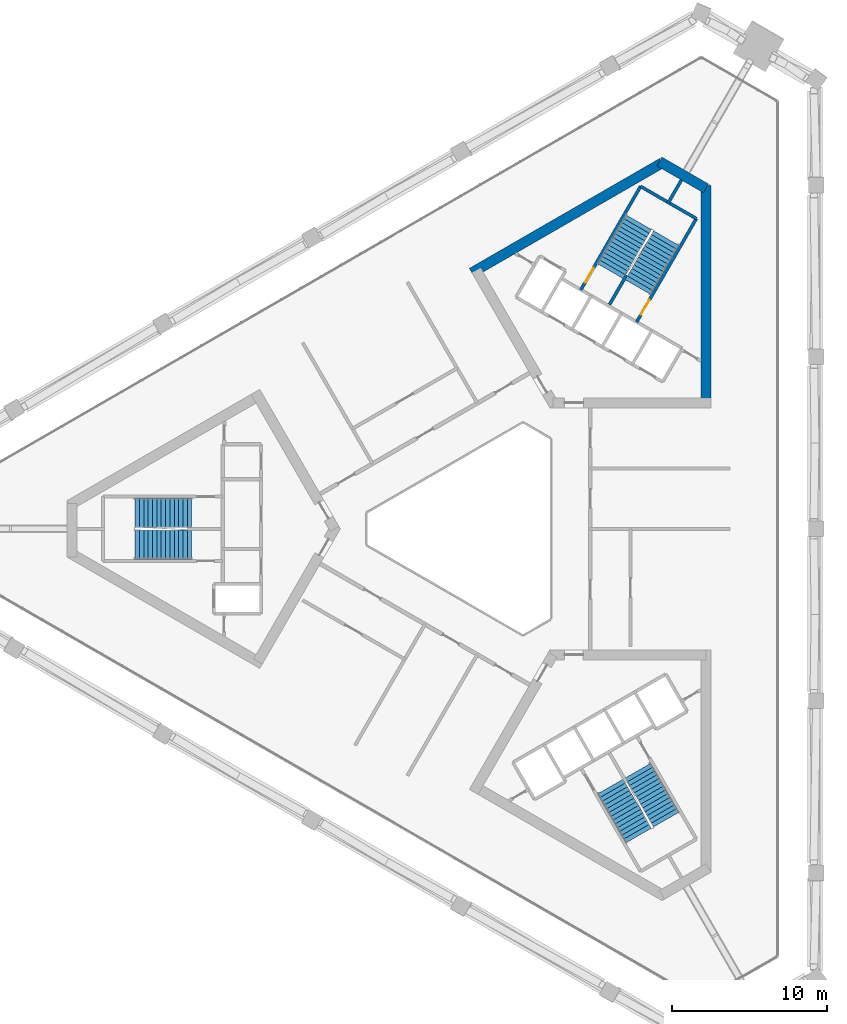
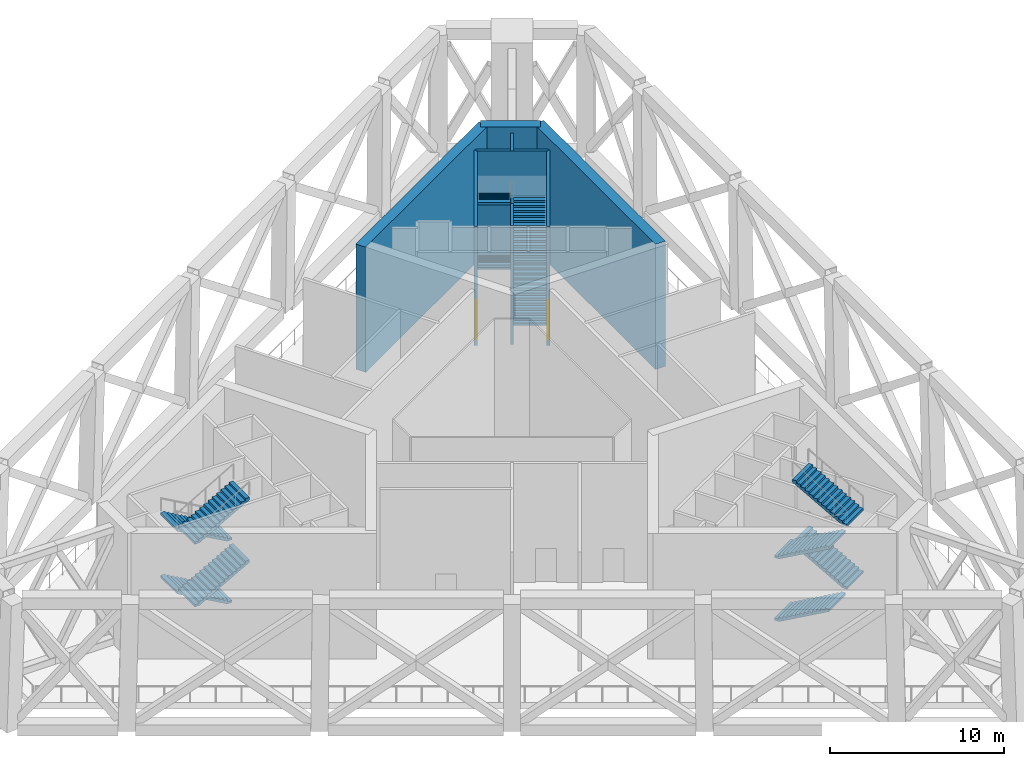
# One storey, part 6 of 8: 12 stair flights, 8 walls, 2 doors, 2 openings, 3 elements without a shape of their own.
"""IFC4 building model written with IfcOpenShell, lengths in metres."""

from ifc_helpers import new_model, si_unit, direction, frame, frame_2d, origin, place, context, subcontext, project, spatial, polyline, rectangle, outline, extrude, material, layer, layer_set, type_object, element, fill, aggregate, save


model = new_model("IFC4")

# Units and contexts
model_context = context("Model", 3, precision=1e-05, world=origin(), true_north=direction((0.0, 1.0)))
body_context = subcontext(model_context, "Body", "Model", "MODEL_VIEW")
ifc_project = project(units=[si_unit("LENGTHUNIT", "METRE"), si_unit("AREAUNIT", "SQUARE_METRE"), si_unit("VOLUMEUNIT", "CUBIC_METRE"), si_unit("PLANEANGLEUNIT", "RADIAN"), si_unit("MASSUNIT", "GRAM", prefix="KILO")], contexts=[model_context])

# Site, building, storey
site_placement = place(None, origin())
site = spatial("IfcSite", under=ifc_project, at=site_placement, CompositionType="ELEMENT")
building_placement = place(site_placement, origin())
building = spatial("IfcBuilding", under=site, at=building_placement, Name="Jabali Bay Hotel Tower and Convention Centre", CompositionType="ELEMENT")
storey_placement = place(building_placement, frame((0.0, 0.0, 147.5)))
storey = spatial("IfcBuildingStorey", under=building, at=storey_placement, Name="L36", CompositionType="ELEMENT", Elevation=147.5)

# Wall
ifc_material_1 = material(Name="Concrete C40", Category="concrete")
ifc_layer_1 = layer(ifc_material_1, 0.199951171875)
ifc_layer_set_1 = layer_set([ifc_layer_1], Name="Concrete C40")
wall_type_1 = type_object("IfcWallType", Name="Core partition wall 200", PredefinedType="PARTITIONING", material=ifc_layer_set_1)
wall_1_placement = place(storey_placement, frame((87.090087890625, 100.9404296875, 0.0), z_axis=(0.0, 0.0, 1.0), x_axis=(0.499944938281, 0.866057191349, 0.0)))
element("IfcWall", 1, at=wall_1_placement, inside=storey, type_object=wall_type_1, Name="Core wall 1.5 L36", PredefinedType="PARTITIONING", context=body_context, shape_type="SweptSolid", body=[
    extrude(rectangle(XDim=1.773193359375, YDim=0.199951171875, at=frame_2d((0.88671875, 0.0))), origin(), (0.0, 0.0, 1.0), 8.35009765625),
])

# Wall, opening, door
ifc_layer_2 = layer(ifc_material_1, 0.199951171875)
ifc_layer_set_2 = layer_set([ifc_layer_2], Name="Concrete C40")
wall_type_2 = type_object("IfcWallType", Name="Core stair wall 200", PredefinedType="SOLIDWALL", material=ifc_layer_set_2)
wall_2_placement = place(storey_placement, frame((85.0869140625, 93.3212890625, 0.0), z_axis=(0.0, 0.0, 1.0), x_axis=(0.500019787375, 0.866013979237, 0.0)))
wall_2 = element("IfcWall", 2, at=wall_2_placement, inside=storey, type_object=wall_type_2, Name="Core wall 1.2 L36", PredefinedType="SOLIDWALL", context=body_context, shape_type="SweptSolid", body=[
    extrude(rectangle(XDim=7.699951171875, YDim=0.199951171875, at=frame_2d((3.85009765625, 0.0))), origin(), (0.0, 0.0, 1.0), 8.35009765625),
])
opening_1_placement = place(wall_2_placement, frame((0.550048828125, 0.0, 0.0)))
opening_1 = element("IfcOpeningElement", 3, at=opening_1_placement, cuts=wall_2, Name="Opening D796", PredefinedType="OPENING", context=body_context, shape_type="SweptSolid", body=[
    extrude(rectangle(XDim=1.10009765625, YDim=2.10009765625, at=frame_2d((0.550048828125, 1.050048828125))), frame((0.0, 0.1103515625, 0.0), z_axis=(0.0, -1.0, 0.0), x_axis=(1.0, 0.0, 0.0)), (0.0, 0.0, 1.0), 0.220947265625),
])
ifc_material_2 = material(Name="Fire-rated steel door", Category="steel")
door_type = type_object("IfcDoorType", Name="Stair fire door 1100 x 2100", OperationType="NOTDEFINED", PredefinedType="NOTDEFINED", material=ifc_material_2)
door_1_placement = place(opening_1_placement, origin())
door_1 = element("IfcDoor", 4, at=door_1_placement, inside=storey, type_object=door_type, Name="Stair fire door D796", OperationType="SINGLE_SWING_LEFT", OverallHeight=2.10009765625, OverallWidth=1.10009765625, PredefinedType="NOTDEFINED", context=body_context, shape_type="SweptSolid", body=[
    extrude(rectangle(XDim=1.10009765625, YDim=2.10009765625, at=frame_2d((0.550048828125, 1.050048828125))), frame((0.0, 0.02490234375, 0.0), z_axis=(0.0, -1.0, 0.0), x_axis=(1.0, 0.0, 0.0)), (0.0, 0.0, 1.0), 0.050048828125),
])
fill(opening_1, door_1)

# Wall
wall_3_placement = place(storey_placement, frame((83.340087890625, 94.4453125, 0.0), z_axis=(0.0, 0.0, 1.0), x_axis=(0.499946605688, 0.86605622881, 0.0)))
element("IfcWall", 5, at=wall_3_placement, inside=storey, type_object=wall_type_2, Name="Core wall 1.4 L36", PredefinedType="SOLIDWALL", context=body_context, shape_type="SweptSolid", body=[
    extrude(rectangle(XDim=2.199951171875, YDim=0.199951171875, at=frame_2d((1.10009765625, 0.0))), origin(), (0.0, 0.0, 1.0), 8.35009765625),
])

# Wall, opening, door
wall_4_placement = place(storey_placement, frame((81.492919921875, 95.396240234375, 0.0), z_axis=(0.0, 0.0, 1.0), x_axis=(0.500006057782, 0.866021906294, 0.0)))
wall_4 = element("IfcWall", 6, at=wall_4_placement, inside=storey, type_object=wall_type_2, Name="Core wall 1.7 L36", PredefinedType="SOLIDWALL", context=body_context, shape_type="SweptSolid", body=[
    extrude(rectangle(XDim=7.7001953125, YDim=0.199951171875, at=frame_2d((3.85009765625, 0.0))), origin(), (0.0, 0.0, 1.0), 8.35009765625),
])
opening_2_placement = place(wall_4_placement, frame((0.550048828125, 0.0, 0.0)))
opening_2 = element("IfcOpeningElement", 7, at=opening_2_placement, cuts=wall_4, Name="Opening D795", PredefinedType="OPENING", context=body_context, shape_type="SweptSolid", body=[
    extrude(rectangle(XDim=1.10009765625, YDim=2.10009765625, at=frame_2d((0.550048828125, 1.050048828125))), frame((0.0, 0.1103515625, 0.0), z_axis=(0.0, -1.0, 0.0), x_axis=(1.0, 0.0, 0.0)), (0.0, 0.0, 1.0), 0.220947265625),
])
door_2_placement = place(opening_2_placement, origin())
door_2 = element("IfcDoor", 8, at=door_2_placement, inside=storey, type_object=door_type, Name="Stair fire door D795", OperationType="SINGLE_SWING_RIGHT", OverallHeight=2.10009765625, OverallWidth=1.10009765625, PredefinedType="NOTDEFINED", context=body_context, shape_type="SweptSolid", body=[
    extrude(rectangle(XDim=1.10009765625, YDim=2.10009765625, at=frame_2d((0.550048828125, 1.050048828125))), frame((0.0, 0.02490234375, 0.0), z_axis=(0.0, -1.0, 0.0), x_axis=(1.0, 0.0, 0.0)), (0.0, 0.0, 1.0), 0.050048828125),
])
fill(opening_2, door_2)

# Walls
wall_5_placement = place(storey_placement, frame((88.93701171875, 99.989501953125, 0.0), z_axis=(0.0, 0.0, 1.0), x_axis=(-0.866004344652, 0.500036473714, 0.0)))
element("IfcWall", 9, at=wall_5_placement, inside=storey, type_object=wall_type_2, Name="Core wall 1.15 L36", PredefinedType="SOLIDWALL", context=body_context, shape_type="SweptSolid", body=[
    extrude(rectangle(XDim=4.150146484375, YDim=0.199951171875, at=frame_2d((2.0751953125, 0.0))), origin(), (0.0, 0.0, 1.0), 8.35009765625),
])
ifc_material_3 = material(Name="Concrete C60", Category="concrete")
ifc_layer_3 = layer(ifc_material_3, 0.64990234375)
ifc_layer_set_3 = layer_set([ifc_layer_3], Name="Concrete C60")
wall_type_3 = type_object("IfcWallType", Name="Core wall 650", PredefinedType="SHEAR", material=ifc_layer_set_3)
wall_6_placement = place(storey_placement, frame((89.554931640625, 88.119140625, 0.0), z_axis=(0.0, 0.0, 1.0), x_axis=(0.0, 1.0, 0.0)))
element("IfcWall", 10, at=wall_6_placement, inside=storey, type_object=wall_type_3, Name="Core wall 2.2 L36", PredefinedType="SHEAR", context=body_context, shape_type="SweptSolid", body=[
    extrude(rectangle(XDim=14.008544921875, YDim=0.64990234375, at=frame_2d((7.00439453125, 0.0))), origin(), (0.0, 0.0, 1.0), 8.800048828125),
])
wall_7_placement = place(storey_placement, frame((89.554931640625, 101.93994140625, 0.0), z_axis=(0.0, 0.0, 1.0), x_axis=(-0.866031550877, 0.499989352773, 0.0)))
element("IfcWall", 11, at=wall_7_placement, inside=storey, type_object=wall_type_3, Name="Core wall 2.3 L36", PredefinedType="SHEAR", context=body_context, shape_type="SweptSolid", body=[
    extrude(rectangle(XDim=3.45751953125, YDim=0.64990234375, at=frame_2d((1.728759765625, 0.0))), origin(), (0.0, 0.0, 1.0), 8.800048828125),
])
wall_8_placement = place(storey_placement, frame((86.72314453125, 103.574951171875, 0.0), z_axis=(0.0, 0.0, 1.0), x_axis=(-0.866031824457, -0.499988878904, 0.0)))
element("IfcWall", 12, at=wall_8_placement, inside=storey, type_object=wall_type_3, Name="Core wall 2.4 L36", PredefinedType="SHEAR", context=body_context, shape_type="SweptSolid", body=[
    extrude(rectangle(XDim=14.145751953125, YDim=0.64990234375, at=frame_2d((7.07275390625, 0.0))), origin(), (0.0, 0.0, 1.0), 8.800048828125),
])

# Stair, stair flights
stair_type = type_object("IfcStairType", Name="Exit stair 1900", PredefinedType="HALF_TURN_STAIR", material=ifc_material_1)
stair_1_placement = place(storey_placement, origin())
stair_1 = element("IfcStair", 13, at=stair_1_placement, inside=storey, type_object=stair_type, Name="L36 Exit Stair 1", PredefinedType="HALF_TURN_STAIR")
stair_flight_type = type_object("IfcStairFlightType", Name="Stair flight concrete 150", PredefinedType="STRAIGHT", material=ifc_material_1)
stair_flight_1_placement = place(storey_placement, frame((56.419921875, 81.02490234375, 0.0), z_axis=(0.0, 0.0, 1.0), x_axis=(-1.0, 0.0, 0.0)))
stair_flight_1 = element("IfcStairFlight", 14, at=stair_flight_1_placement, type_object=stair_flight_type, Name="ST1 flight 1", NumberOfRisers=14, NumberOfTreads=13, PredefinedType="STRAIGHT", RiserHeight=0.157142857, TreadLength=0.28, context=body_context, shape_type="SweptSolid", body=[
    extrude(outline(polyline([(0.0, 0.0), (0.0, 0.1572265625), (0.280029296875, 0.1572265625), (0.280029296875, 0.314208984375), (0.56005859375, 0.314208984375), (0.56005859375, 0.471435546875), (0.840087890625, 0.471435546875), (0.840087890625, 0.628662109375), (1.1201171875, 0.628662109375), (1.1201171875, 0.78564453125), (1.39990234375, 0.78564453125), (1.39990234375, 0.94287109375), (1.679931640625, 0.94287109375), (1.679931640625, 1.10009765625), (1.9599609375, 1.10009765625), (1.9599609375, 1.257080078125), (2.239990234375, 1.257080078125), (2.239990234375, 1.414306640625), (2.52001953125, 1.414306640625), (2.52001953125, 1.571533203125), (2.800048828125, 1.571533203125), (2.800048828125, 1.728515625), (3.080078125, 1.728515625), (3.080078125, 1.8857421875), (3.360107421875, 1.8857421875), (3.360107421875, 2.04296875), (3.639892578125, 2.04296875), (3.639892578125, 2.199951171875), (3.639892578125, 1.870849609375), (0.306396484375, 0.0), (0.0, 0.0)])), frame((0.0, 0.949951171875, 0.0), z_axis=(0.0, -1.0, 0.0), x_axis=(1.0, 0.0, 0.0)), (0.0, 0.0, 1.0), 1.89990234375),
])
stair_flight_2_placement = place(storey_placement, frame((52.780029296875, 78.97509765625, 2.199951171875), z_axis=(0.0, 0.0, 1.0), x_axis=(1.0, 0.0, 0.0)))
stair_flight_2 = element("IfcStairFlight", 15, at=stair_flight_2_placement, type_object=stair_flight_type, Name="ST1 flight 2", NumberOfRisers=14, NumberOfTreads=13, PredefinedType="STRAIGHT", RiserHeight=0.157142857, TreadLength=0.28, context=body_context, shape_type="SweptSolid", body=[
    extrude(outline(polyline([(0.0, 0.0), (0.0, 0.1572265625), (0.280029296875, 0.1572265625), (0.280029296875, 0.314208984375), (0.56005859375, 0.314208984375), (0.56005859375, 0.471435546875), (0.840087890625, 0.471435546875), (0.840087890625, 0.628662109375), (1.1201171875, 0.628662109375), (1.1201171875, 0.78564453125), (1.39990234375, 0.78564453125), (1.39990234375, 0.94287109375), (1.679931640625, 0.94287109375), (1.679931640625, 1.10009765625), (1.9599609375, 1.10009765625), (1.9599609375, 1.257080078125), (2.239990234375, 1.257080078125), (2.239990234375, 1.414306640625), (2.52001953125, 1.414306640625), (2.52001953125, 1.571533203125), (2.800048828125, 1.571533203125), (2.800048828125, 1.728515625), (3.080078125, 1.728515625), (3.080078125, 1.8857421875), (3.360107421875, 1.8857421875), (3.360107421875, 2.04296875), (3.639892578125, 2.04296875), (3.639892578125, 2.199951171875), (3.639892578125, 1.870849609375), (0.306396484375, 0.0), (0.0, 0.0)])), frame((0.0, 0.949951171875, 0.0), z_axis=(0.0, -1.0, 0.0), x_axis=(1.0, 0.0, 0.0)), (0.0, 0.0, 1.0), 1.89990234375),
])
stair_flight_3_placement = place(storey_placement, frame((56.419921875, 81.02490234375, 4.39990234375), z_axis=(0.0, 0.0, 1.0), x_axis=(-1.0, 0.0, 0.0)))
stair_flight_3 = element("IfcStairFlight", 16, at=stair_flight_3_placement, type_object=stair_flight_type, Name="ST1 flight 3", NumberOfRisers=14, NumberOfTreads=13, PredefinedType="STRAIGHT", RiserHeight=0.157142857, TreadLength=0.28, context=body_context, shape_type="SweptSolid", body=[
    extrude(outline(polyline([(0.0, 0.0), (0.0, 0.1572265625), (0.280029296875, 0.1572265625), (0.280029296875, 0.314208984375), (0.56005859375, 0.314208984375), (0.56005859375, 0.471435546875), (0.840087890625, 0.471435546875), (0.840087890625, 0.628662109375), (1.1201171875, 0.628662109375), (1.1201171875, 0.78564453125), (1.39990234375, 0.78564453125), (1.39990234375, 0.94287109375), (1.679931640625, 0.94287109375), (1.679931640625, 1.10009765625), (1.9599609375, 1.10009765625), (1.9599609375, 1.257080078125), (2.239990234375, 1.257080078125), (2.239990234375, 1.414306640625), (2.52001953125, 1.414306640625), (2.52001953125, 1.571533203125), (2.800048828125, 1.571533203125), (2.800048828125, 1.728515625), (3.080078125, 1.728515625), (3.080078125, 1.8857421875), (3.360107421875, 1.8857421875), (3.360107421875, 2.04296875), (3.639892578125, 2.04296875), (3.639892578125, 2.199951171875), (3.639892578125, 1.870849609375), (0.306396484375, 0.0), (0.0, 0.0)])), frame((0.0, 0.949951171875, 0.0), z_axis=(0.0, -1.0, 0.0), x_axis=(1.0, 0.0, 0.0)), (0.0, 0.0, 1.0), 1.89990234375),
])
stair_flight_4_placement = place(storey_placement, frame((52.780029296875, 78.97509765625, 6.60009765625), z_axis=(0.0, 0.0, 1.0), x_axis=(1.0, 0.0, 0.0)))
stair_flight_4 = element("IfcStairFlight", 17, at=stair_flight_4_placement, type_object=stair_flight_type, Name="ST1 flight 4", NumberOfRisers=14, NumberOfTreads=13, PredefinedType="STRAIGHT", RiserHeight=0.157142857, TreadLength=0.28, context=body_context, shape_type="SweptSolid", body=[
    extrude(outline(polyline([(0.0, 0.0), (0.0, 0.1572265625), (0.280029296875, 0.1572265625), (0.280029296875, 0.314208984375), (0.56005859375, 0.314208984375), (0.56005859375, 0.471435546875), (0.840087890625, 0.471435546875), (0.840087890625, 0.628662109375), (1.1201171875, 0.628662109375), (1.1201171875, 0.78564453125), (1.39990234375, 0.78564453125), (1.39990234375, 0.94287109375), (1.679931640625, 0.94287109375), (1.679931640625, 1.10009765625), (1.9599609375, 1.10009765625), (1.9599609375, 1.257080078125), (2.239990234375, 1.257080078125), (2.239990234375, 1.414306640625), (2.52001953125, 1.414306640625), (2.52001953125, 1.571533203125), (2.800048828125, 1.571533203125), (2.800048828125, 1.728515625), (3.080078125, 1.728515625), (3.080078125, 1.8857421875), (3.360107421875, 1.8857421875), (3.360107421875, 2.04296875), (3.639892578125, 2.04296875), (3.639892578125, 2.199951171875), (3.639892578125, 1.870849609375), (0.306396484375, 0.0), (0.0, 0.0)])), frame((0.0, 0.949951171875, 0.0), z_axis=(0.0, -1.0, 0.0), x_axis=(1.0, 0.0, 0.0)), (0.0, 0.0, 1.0), 1.89990234375),
])
aggregate(stair_1, [stair_flight_1, stair_flight_2, stair_flight_3, stair_flight_4])

stair_2_placement = place(storey_placement, origin())
stair_2 = element("IfcStair", 18, at=stair_2_placement, inside=storey, type_object=stair_type, Name="L36 Exit Stair 2", PredefinedType="HALF_TURN_STAIR")
stair_flight_5_placement = place(storey_placement, frame((85.177734375, 95.578369140625, 0.0), z_axis=(0.0, 0.0, 1.0), x_axis=(0.5, 0.866025403784, 0.0)))
stair_flight_5 = element("IfcStairFlight", 19, at=stair_flight_5_placement, type_object=stair_flight_type, Name="ST2 flight 1", NumberOfRisers=14, NumberOfTreads=13, PredefinedType="STRAIGHT", RiserHeight=0.157142857, TreadLength=0.28, context=body_context, shape_type="SweptSolid", body=[
    extrude(outline(polyline([(0.0, 0.0), (0.0, 0.1572265625), (0.280029296875, 0.1572265625), (0.280029296875, 0.314208984375), (0.56005859375, 0.314208984375), (0.56005859375, 0.471435546875), (0.840087890625, 0.471435546875), (0.840087890625, 0.628662109375), (1.1201171875, 0.628662109375), (1.1201171875, 0.78564453125), (1.39990234375, 0.78564453125), (1.39990234375, 0.94287109375), (1.679931640625, 0.94287109375), (1.679931640625, 1.10009765625), (1.9599609375, 1.10009765625), (1.9599609375, 1.257080078125), (2.239990234375, 1.257080078125), (2.239990234375, 1.414306640625), (2.52001953125, 1.414306640625), (2.52001953125, 1.571533203125), (2.800048828125, 1.571533203125), (2.800048828125, 1.728515625), (3.080078125, 1.728515625), (3.080078125, 1.8857421875), (3.360107421875, 1.8857421875), (3.360107421875, 2.04296875), (3.639892578125, 2.04296875), (3.639892578125, 2.199951171875), (3.639892578125, 1.870849609375), (0.306396484375, 0.0), (0.0, 0.0)])), frame((0.0, 0.949951171875, 0.0), z_axis=(0.0, -1.0, 0.0), x_axis=(1.0, 0.0, 0.0)), (0.0, 0.0, 1.0), 1.89990234375),
])
stair_flight_6_placement = place(storey_placement, frame((85.222412109375, 99.755615234375, 2.199951171875), z_axis=(0.0, 0.0, 1.0), x_axis=(-0.5, -0.866025403784, 0.0)))
stair_flight_6 = element("IfcStairFlight", 20, at=stair_flight_6_placement, type_object=stair_flight_type, Name="ST2 flight 2", NumberOfRisers=14, NumberOfTreads=13, PredefinedType="STRAIGHT", RiserHeight=0.157142857, TreadLength=0.28, context=body_context, shape_type="SweptSolid", body=[
    extrude(outline(polyline([(0.0, 0.0), (0.0, 0.1572265625), (0.280029296875, 0.1572265625), (0.280029296875, 0.314208984375), (0.56005859375, 0.314208984375), (0.56005859375, 0.471435546875), (0.840087890625, 0.471435546875), (0.840087890625, 0.628662109375), (1.1201171875, 0.628662109375), (1.1201171875, 0.78564453125), (1.39990234375, 0.78564453125), (1.39990234375, 0.94287109375), (1.679931640625, 0.94287109375), (1.679931640625, 1.10009765625), (1.9599609375, 1.10009765625), (1.9599609375, 1.257080078125), (2.239990234375, 1.257080078125), (2.239990234375, 1.414306640625), (2.52001953125, 1.414306640625), (2.52001953125, 1.571533203125), (2.800048828125, 1.571533203125), (2.800048828125, 1.728515625), (3.080078125, 1.728515625), (3.080078125, 1.8857421875), (3.360107421875, 1.8857421875), (3.360107421875, 2.04296875), (3.639892578125, 2.04296875), (3.639892578125, 2.199951171875), (3.639892578125, 1.870849609375), (0.306396484375, 0.0), (0.0, 0.0)])), frame((0.0, 0.949951171875, 0.0), z_axis=(0.0, -1.0, 0.0), x_axis=(1.0, 0.0, 0.0)), (0.0, 0.0, 1.0), 1.89990234375),
])
stair_flight_7_placement = place(storey_placement, frame((85.177734375, 95.578369140625, 4.39990234375), z_axis=(0.0, 0.0, 1.0), x_axis=(0.5, 0.866025403784, 0.0)))
stair_flight_7 = element("IfcStairFlight", 21, at=stair_flight_7_placement, type_object=stair_flight_type, Name="ST2 flight 3", NumberOfRisers=14, NumberOfTreads=13, PredefinedType="STRAIGHT", RiserHeight=0.157142857, TreadLength=0.28, context=body_context, shape_type="SweptSolid", body=[
    extrude(outline(polyline([(0.0, 0.0), (0.0, 0.1572265625), (0.280029296875, 0.1572265625), (0.280029296875, 0.314208984375), (0.56005859375, 0.314208984375), (0.56005859375, 0.471435546875), (0.840087890625, 0.471435546875), (0.840087890625, 0.628662109375), (1.1201171875, 0.628662109375), (1.1201171875, 0.78564453125), (1.39990234375, 0.78564453125), (1.39990234375, 0.94287109375), (1.679931640625, 0.94287109375), (1.679931640625, 1.10009765625), (1.9599609375, 1.10009765625), (1.9599609375, 1.257080078125), (2.239990234375, 1.257080078125), (2.239990234375, 1.414306640625), (2.52001953125, 1.414306640625), (2.52001953125, 1.571533203125), (2.800048828125, 1.571533203125), (2.800048828125, 1.728515625), (3.080078125, 1.728515625), (3.080078125, 1.8857421875), (3.360107421875, 1.8857421875), (3.360107421875, 2.04296875), (3.639892578125, 2.04296875), (3.639892578125, 2.199951171875), (3.639892578125, 1.870849609375), (0.306396484375, 0.0), (0.0, 0.0)])), frame((0.0, 0.949951171875, 0.0), z_axis=(0.0, -1.0, 0.0), x_axis=(1.0, 0.0, 0.0)), (0.0, 0.0, 1.0), 1.89990234375),
])
stair_flight_8_placement = place(storey_placement, frame((85.222412109375, 99.755615234375, 6.60009765625), z_axis=(0.0, 0.0, 1.0), x_axis=(-0.5, -0.866025403784, 0.0)))
stair_flight_8 = element("IfcStairFlight", 22, at=stair_flight_8_placement, type_object=stair_flight_type, Name="ST2 flight 4", NumberOfRisers=14, NumberOfTreads=13, PredefinedType="STRAIGHT", RiserHeight=0.157142857, TreadLength=0.28, context=body_context, shape_type="SweptSolid", body=[
    extrude(outline(polyline([(0.0, 0.0), (0.0, 0.1572265625), (0.280029296875, 0.1572265625), (0.280029296875, 0.314208984375), (0.56005859375, 0.314208984375), (0.56005859375, 0.471435546875), (0.840087890625, 0.471435546875), (0.840087890625, 0.628662109375), (1.1201171875, 0.628662109375), (1.1201171875, 0.78564453125), (1.39990234375, 0.78564453125), (1.39990234375, 0.94287109375), (1.679931640625, 0.94287109375), (1.679931640625, 1.10009765625), (1.9599609375, 1.10009765625), (1.9599609375, 1.257080078125), (2.239990234375, 1.257080078125), (2.239990234375, 1.414306640625), (2.52001953125, 1.414306640625), (2.52001953125, 1.571533203125), (2.800048828125, 1.571533203125), (2.800048828125, 1.728515625), (3.080078125, 1.728515625), (3.080078125, 1.8857421875), (3.360107421875, 1.8857421875), (3.360107421875, 2.04296875), (3.639892578125, 2.04296875), (3.639892578125, 2.199951171875), (3.639892578125, 1.870849609375), (0.306396484375, 0.0), (0.0, 0.0)])), frame((0.0, 0.949951171875, 0.0), z_axis=(0.0, -1.0, 0.0), x_axis=(1.0, 0.0, 0.0)), (0.0, 0.0, 1.0), 1.89990234375),
])
aggregate(stair_2, [stair_flight_5, stair_flight_6, stair_flight_7, stair_flight_8])

stair_3_placement = place(storey_placement, origin())
stair_3 = element("IfcStair", 23, at=stair_3_placement, inside=storey, type_object=stair_type, Name="L36 Exit Stair 3", PredefinedType="HALF_TURN_STAIR")
stair_flight_9_placement = place(storey_placement, frame((83.40234375, 63.396728515625, 0.0), z_axis=(0.0, 0.0, 1.0), x_axis=(0.5, -0.866025403784, 0.0)))
stair_flight_9 = element("IfcStairFlight", 24, at=stair_flight_9_placement, type_object=stair_flight_type, Name="ST3 flight 1", NumberOfRisers=14, NumberOfTreads=13, PredefinedType="STRAIGHT", RiserHeight=0.157142857, TreadLength=0.28, context=body_context, shape_type="SweptSolid", body=[
    extrude(outline(polyline([(0.0, 0.0), (0.0, 0.1572265625), (0.280029296875, 0.1572265625), (0.280029296875, 0.314208984375), (0.56005859375, 0.314208984375), (0.56005859375, 0.471435546875), (0.840087890625, 0.471435546875), (0.840087890625, 0.628662109375), (1.1201171875, 0.628662109375), (1.1201171875, 0.78564453125), (1.39990234375, 0.78564453125), (1.39990234375, 0.94287109375), (1.679931640625, 0.94287109375), (1.679931640625, 1.10009765625), (1.9599609375, 1.10009765625), (1.9599609375, 1.257080078125), (2.239990234375, 1.257080078125), (2.239990234375, 1.414306640625), (2.52001953125, 1.414306640625), (2.52001953125, 1.571533203125), (2.800048828125, 1.571533203125), (2.800048828125, 1.728515625), (3.080078125, 1.728515625), (3.080078125, 1.8857421875), (3.360107421875, 1.8857421875), (3.360107421875, 2.04296875), (3.639892578125, 2.04296875), (3.639892578125, 2.199951171875), (3.639892578125, 1.870849609375), (0.306396484375, 0.0), (0.0, 0.0)])), frame((0.0, 0.949951171875, 0.0), z_axis=(0.0, -1.0, 0.0), x_axis=(1.0, 0.0, 0.0)), (0.0, 0.0, 1.0), 1.89990234375),
])
stair_flight_10_placement = place(storey_placement, frame((86.99755859375, 61.26953125, 2.199951171875), z_axis=(0.0, 0.0, 1.0), x_axis=(-0.5, 0.866025403784, 0.0)))
stair_flight_10 = element("IfcStairFlight", 25, at=stair_flight_10_placement, type_object=stair_flight_type, Name="ST3 flight 2", NumberOfRisers=14, NumberOfTreads=13, PredefinedType="STRAIGHT", RiserHeight=0.157142857, TreadLength=0.28, context=body_context, shape_type="SweptSolid", body=[
    extrude(outline(polyline([(0.0, 0.0), (0.0, 0.1572265625), (0.280029296875, 0.1572265625), (0.280029296875, 0.314208984375), (0.56005859375, 0.314208984375), (0.56005859375, 0.471435546875), (0.840087890625, 0.471435546875), (0.840087890625, 0.628662109375), (1.1201171875, 0.628662109375), (1.1201171875, 0.78564453125), (1.39990234375, 0.78564453125), (1.39990234375, 0.94287109375), (1.679931640625, 0.94287109375), (1.679931640625, 1.10009765625), (1.9599609375, 1.10009765625), (1.9599609375, 1.257080078125), (2.239990234375, 1.257080078125), (2.239990234375, 1.414306640625), (2.52001953125, 1.414306640625), (2.52001953125, 1.571533203125), (2.800048828125, 1.571533203125), (2.800048828125, 1.728515625), (3.080078125, 1.728515625), (3.080078125, 1.8857421875), (3.360107421875, 1.8857421875), (3.360107421875, 2.04296875), (3.639892578125, 2.04296875), (3.639892578125, 2.199951171875), (3.639892578125, 1.870849609375), (0.306396484375, 0.0), (0.0, 0.0)])), frame((0.0, 0.949951171875, 0.0), z_axis=(0.0, -1.0, 0.0), x_axis=(1.0, 0.0, 0.0)), (0.0, 0.0, 1.0), 1.89990234375),
])
stair_flight_11_placement = place(storey_placement, frame((83.40234375, 63.396728515625, 4.39990234375), z_axis=(0.0, 0.0, 1.0), x_axis=(0.5, -0.866025403784, 0.0)))
stair_flight_11 = element("IfcStairFlight", 26, at=stair_flight_11_placement, type_object=stair_flight_type, Name="ST3 flight 3", NumberOfRisers=14, NumberOfTreads=13, PredefinedType="STRAIGHT", RiserHeight=0.157142857, TreadLength=0.28, context=body_context, shape_type="SweptSolid", body=[
    extrude(outline(polyline([(0.0, 0.0), (0.0, 0.1572265625), (0.280029296875, 0.1572265625), (0.280029296875, 0.314208984375), (0.56005859375, 0.314208984375), (0.56005859375, 0.471435546875), (0.840087890625, 0.471435546875), (0.840087890625, 0.628662109375), (1.1201171875, 0.628662109375), (1.1201171875, 0.78564453125), (1.39990234375, 0.78564453125), (1.39990234375, 0.94287109375), (1.679931640625, 0.94287109375), (1.679931640625, 1.10009765625), (1.9599609375, 1.10009765625), (1.9599609375, 1.257080078125), (2.239990234375, 1.257080078125), (2.239990234375, 1.414306640625), (2.52001953125, 1.414306640625), (2.52001953125, 1.571533203125), (2.800048828125, 1.571533203125), (2.800048828125, 1.728515625), (3.080078125, 1.728515625), (3.080078125, 1.8857421875), (3.360107421875, 1.8857421875), (3.360107421875, 2.04296875), (3.639892578125, 2.04296875), (3.639892578125, 2.199951171875), (3.639892578125, 1.870849609375), (0.306396484375, 0.0), (0.0, 0.0)])), frame((0.0, 0.949951171875, 0.0), z_axis=(0.0, -1.0, 0.0), x_axis=(1.0, 0.0, 0.0)), (0.0, 0.0, 1.0), 1.89990234375),
])
stair_flight_12_placement = place(storey_placement, frame((86.99755859375, 61.26953125, 6.60009765625), z_axis=(0.0, 0.0, 1.0), x_axis=(-0.5, 0.866025403784, 0.0)))
stair_flight_12 = element("IfcStairFlight", 27, at=stair_flight_12_placement, type_object=stair_flight_type, Name="ST3 flight 4", NumberOfRisers=14, NumberOfTreads=13, PredefinedType="STRAIGHT", RiserHeight=0.157142857, TreadLength=0.28, context=body_context, shape_type="SweptSolid", body=[
    extrude(outline(polyline([(0.0, 0.0), (0.0, 0.1572265625), (0.280029296875, 0.1572265625), (0.280029296875, 0.314208984375), (0.56005859375, 0.314208984375), (0.56005859375, 0.471435546875), (0.840087890625, 0.471435546875), (0.840087890625, 0.628662109375), (1.1201171875, 0.628662109375), (1.1201171875, 0.78564453125), (1.39990234375, 0.78564453125), (1.39990234375, 0.94287109375), (1.679931640625, 0.94287109375), (1.679931640625, 1.10009765625), (1.9599609375, 1.10009765625), (1.9599609375, 1.257080078125), (2.239990234375, 1.257080078125), (2.239990234375, 1.414306640625), (2.52001953125, 1.414306640625), (2.52001953125, 1.571533203125), (2.800048828125, 1.571533203125), (2.800048828125, 1.728515625), (3.080078125, 1.728515625), (3.080078125, 1.8857421875), (3.360107421875, 1.8857421875), (3.360107421875, 2.04296875), (3.639892578125, 2.04296875), (3.639892578125, 2.199951171875), (3.639892578125, 1.870849609375), (0.306396484375, 0.0), (0.0, 0.0)])), frame((0.0, 0.949951171875, 0.0), z_axis=(0.0, -1.0, 0.0), x_axis=(1.0, 0.0, 0.0)), (0.0, 0.0, 1.0), 1.89990234375),
])
aggregate(stair_3, [stair_flight_9, stair_flight_10, stair_flight_11, stair_flight_12])

save(model, "model.ifc")
